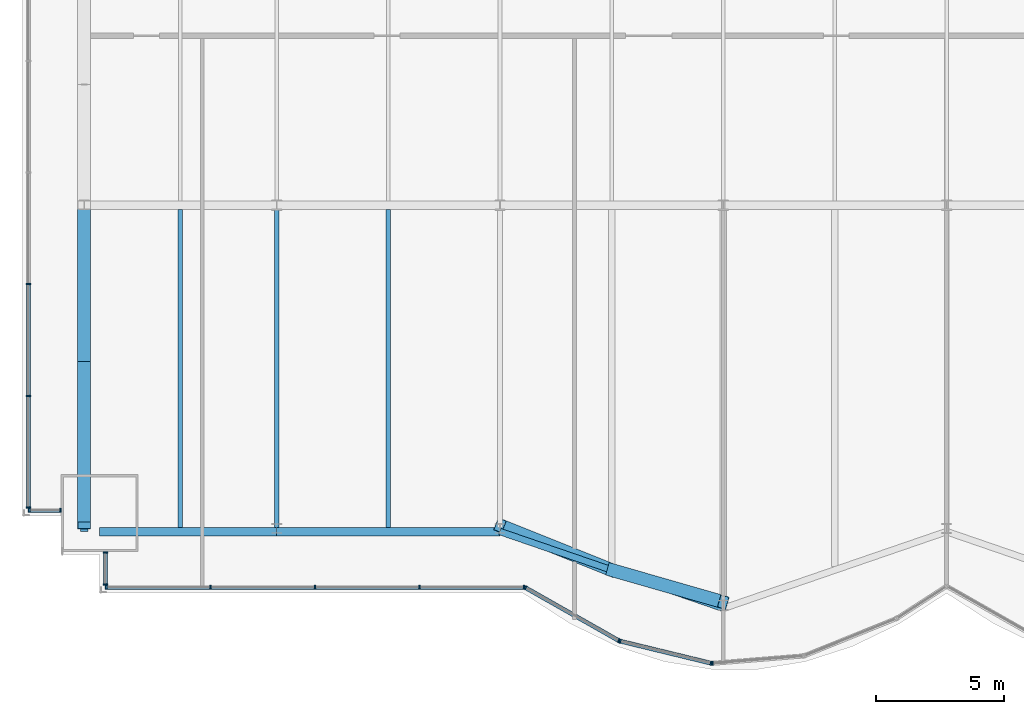
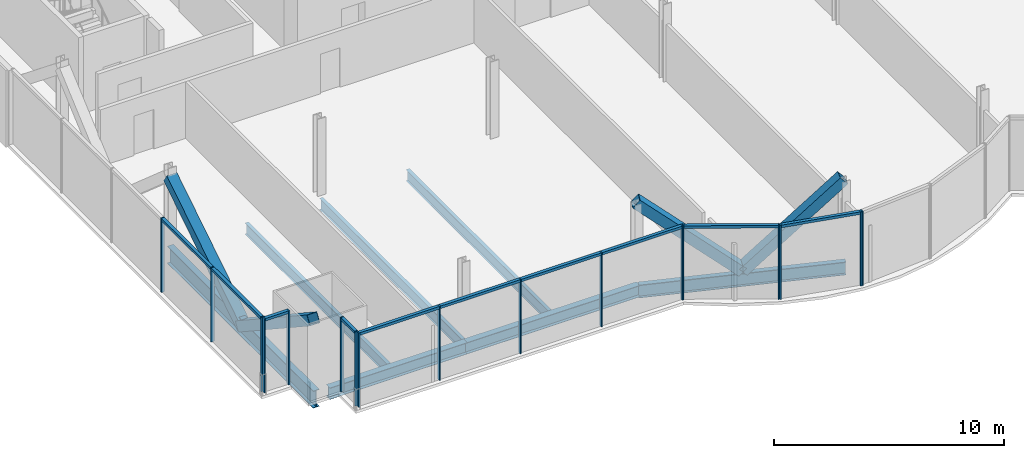
# One storey, part 4 of 21: 31 members, 7 beams, 5 elements without a shape of their own.
"""IFC4 building model written with IfcOpenShell, lengths in metres."""

from ifc_helpers import new_model, si_unit, direction, frame, origin, origin_2d, place, context, subcontext, project, spatial, rectangle, hollow_rectangle, i_section, extrude, material, material_profile, profile_set, type_object, element, aggregate, save


model = new_model("IFC4")

# Units and contexts
model_context = context("Model", 3, precision=1e-05, world=origin(), true_north=direction((0.0, 1.0)))
body_context = subcontext(model_context, "Body", "Model", "MODEL_VIEW")
ifc_project = project(units=[si_unit("LENGTHUNIT", "METRE"), si_unit("AREAUNIT", "SQUARE_METRE"), si_unit("VOLUMEUNIT", "CUBIC_METRE"), si_unit("PLANEANGLEUNIT", "RADIAN"), si_unit("MASSUNIT", "GRAM", prefix="KILO")], contexts=[model_context])

# Site, building, storey
site_placement = place(None, origin())
site = spatial("IfcSite", under=ifc_project, at=site_placement, CompositionType="ELEMENT")
building_placement = place(site_placement, origin())
building = spatial("IfcBuilding", under=site, at=building_placement, Name="Bicima Exchange Tower", CompositionType="ELEMENT")
storey_placement = place(building_placement, frame((0.0, 0.0, 122.699951171875)))
storey = spatial("IfcBuildingStorey", under=building, at=storey_placement, Name="L26", CompositionType="ELEMENT", Elevation=122.699951171875)

# Curtain wall, members
ifc_material_1 = material(Name="Anodised bronze aluminium", Category="aluminium")
curtain_wall_type_1 = type_object("IfcCurtainWallType", Name="End face glass wall", PredefinedType="NOTDEFINED", material=ifc_material_1)
curtain_wall_1_placement = place(storey_placement, origin())
curtain_wall_1 = element("IfcCurtainWall", 1, at=curtain_wall_1_placement, inside=storey, type_object=curtain_wall_type_1, Name="End face glass wall L26 run 2", PredefinedType="NOTDEFINED")
ifc_material_profile_1 = material_profile(ifc_material_1, rectangle(XDim=0.159912109375, YDim=0.06005859375, at=origin_2d()))
ifc_profile_set_1 = profile_set([ifc_material_profile_1], Name="Anodised bronze aluminium")
member_type_1 = type_object("IfcMemberType", Name="End face glass wall mullion 60 x 160", PredefinedType="MULLION", material=ifc_profile_set_1)
member_1_placement = place(storey_placement, frame((-35.77001953125, -25.080078125, 0.0), z_axis=(0.0, 0.0, 1.0), x_axis=(1.0, 0.0, 0.0)))
member_1 = element("IfcMember", 2, at=member_1_placement, type_object=member_type_1, Name="End face glass wall mullion 4", PredefinedType="MULLION", context=body_context, shape_type="SweptSolid", body=[
    extrude(rectangle(XDim=0.159912109375, YDim=0.06005859375, at=origin_2d()), origin(), (0.0, 0.0, 1.0), 3.949951171875),
])
member_2_placement = place(storey_placement, frame((-35.77001953125, -29.429931640625, 0.0), z_axis=(0.0, 0.0, 1.0), x_axis=(1.0, 0.0, 0.0)))
member_2 = element("IfcMember", 3, at=member_2_placement, type_object=member_type_1, Name="End face glass wall mullion 5", PredefinedType="MULLION", context=body_context, shape_type="SweptSolid", body=[
    extrude(rectangle(XDim=0.159912109375, YDim=0.06005859375, at=origin_2d()), origin(), (0.0, 0.0, 1.0), 3.949951171875),
])
member_3_placement = place(storey_placement, frame((-35.77001953125, -33.780029296875, 0.0), z_axis=(0.0, 0.0, 1.0), x_axis=(1.0, 0.0, 0.0)))
member_3 = element("IfcMember", 4, at=member_3_placement, type_object=member_type_1, Name="End face glass wall mullion 6", PredefinedType="MULLION", context=body_context, shape_type="SweptSolid", body=[
    extrude(rectangle(XDim=0.159912109375, YDim=0.06005859375, at=origin_2d()), origin(), (0.0, 0.0, 1.0), 3.949951171875),
])
ifc_material_profile_2 = material_profile(ifc_material_1, rectangle(XDim=0.159912109375, YDim=0.139892578125, at=origin_2d()))
ifc_profile_set_2 = profile_set([ifc_material_profile_2], Name="Anodised bronze aluminium")
member_type_2 = type_object("IfcMemberType", Name="End face glass wall transom 140 x 160", PredefinedType="USERDEFINED", material=ifc_profile_set_2)
member_4_placement = place(storey_placement, frame((-35.77001953125, -25.110107421875, 3.880126953125), z_axis=(0.0, -1.0, 0.0), x_axis=(1.0, 0.0, 0.0)))
member_4 = element("IfcMember", 5, at=member_4_placement, type_object=member_type_2, Name="End face glass wall transom 4.1", ObjectType="TRANSOM", PredefinedType="USERDEFINED", context=body_context, shape_type="SweptSolid", body=[
    extrude(rectangle(XDim=0.159912109375, YDim=0.139892578125, at=origin_2d()), origin(), (0.0, 0.0, 1.0), 4.289794921875),
])
member_5_placement = place(storey_placement, frame((-35.77001953125, -29.4599609375, 3.880126953125), z_axis=(0.0, -1.0, 0.0), x_axis=(1.0, 0.0, 0.0)))
member_5 = element("IfcMember", 6, at=member_5_placement, type_object=member_type_2, Name="End face glass wall transom 5.1", ObjectType="TRANSOM", PredefinedType="USERDEFINED", context=body_context, shape_type="SweptSolid", body=[
    extrude(rectangle(XDim=0.159912109375, YDim=0.139892578125, at=origin_2d()), origin(), (0.0, 0.0, 1.0), 4.2900390625),
])
aggregate(curtain_wall_1, [member_1, member_2, member_3, member_4, member_5])

# Beams
ifc_material_2 = material(Name="Steel ASTM A992 Gr 50", Category="steel")
ifc_material_profile_3 = material_profile(ifc_material_2, i_section(OverallWidth=0.3046875, OverallDepth=0.911865234375, WebThickness=0.015869140625, FlangeThickness=0.02392578125, at=origin_2d()))
ifc_profile_set_3 = profile_set([ifc_material_profile_3], Name="Steel ASTM A992 Gr 50")
beam_type_1 = type_object("IfcBeamType", Name="End girder W36x150", PredefinedType="BEAM", material=ifc_profile_set_3)
beam_1_placement = place(storey_placement, frame((-33.60009765625, -22.0, -0.60595703125), z_axis=(0.0, -1.0, 0.0), x_axis=(1.0, 0.0, 0.0)))
element("IfcBeam", 7, at=beam_1_placement, inside=storey, type_object=beam_type_1, Name="End girder", PredefinedType="BEAM", context=body_context, shape_type="SweptSolid", body=[
    extrude(i_section(OverallWidth=0.3046875, OverallDepth=0.911865234375, WebThickness=0.015869140625, FlangeThickness=0.02392578125, at=origin_2d()), origin(), (0.0, 0.0, 1.0), 12.719970703125),
])
ifc_material_profile_4 = material_profile(ifc_material_2, i_section(OverallWidth=0.177978515625, OverallDepth=0.599365234375, WebThickness=0.010009765625, FlangeThickness=0.012939453125, at=origin_2d()))
ifc_profile_set_4 = profile_set([ifc_material_profile_4], Name="Steel ASTM A992 Gr 50")
beam_type_2 = type_object("IfcBeamType", Name="Floor beam W24x55", PredefinedType="JOIST", material=ifc_profile_set_4)
for number, where, z_axis, x_axis, name in (
    (8, (-29.85009765625, -22.16259765625, -0.44970703125), (0.0, -1.0, 0.0), (1.0, 0.0, 0.0), "Floor beam"),
    (9, (-26.10009765625, -22.16259765625, -0.44970703125), (0.0, -1.0, 0.0), (1.0, 0.0, 0.0), "Floor beam"),
    (10, (-21.75, -22.16259765625, -0.44970703125), (0.0, -1.0, 0.0), (1.0, 0.0, 0.0), "Floor beam"),
):
    element("IfcBeam", number, at=place(storey_placement, frame(where, z_axis=z_axis, x_axis=x_axis)), inside=storey, type_object=beam_type_2, Name=name, PredefinedType="JOIST", context=body_context, shape_type="SweptSolid", body=[
        extrude(i_section(OverallWidth=0.177978515625, OverallDepth=0.599365234375, WebThickness=0.010009765625, FlangeThickness=0.012939453125, at=origin_2d()), origin(), (0.0, 0.0, 1.0), 12.394775390625),
    ])
ifc_material_profile_5 = material_profile(ifc_material_2, i_section(OverallWidth=0.3251953125, OverallDepth=0.612060546875, WebThickness=0.0126953125, FlangeThickness=0.01904296875, at=origin_2d()))
ifc_profile_set_5 = profile_set([ifc_material_profile_5], Name="Steel ASTM A992 Gr 50")
beam_type_3 = type_object("IfcBeamType", Name="Front girder W24x104", PredefinedType="BEAM", material=ifc_profile_set_5)
beam_2_placement = place(storey_placement, frame((-33.0, -34.719970703125, -0.4560546875), z_axis=(1.0, 0.0, 0.0), x_axis=(0.0, 1.0, 0.0)))
element("IfcBeam", 11, at=beam_2_placement, inside=storey, type_object=beam_type_3, Name="Front girder", PredefinedType="BEAM", context=body_context, shape_type="SweptSolid", body=[
    extrude(i_section(OverallWidth=0.3251953125, OverallDepth=0.612060546875, WebThickness=0.0126953125, FlangeThickness=0.01904296875, at=origin_2d()), origin(), (0.0, 0.0, 1.0), 6.89990234375),
])
beam_3_placement = place(storey_placement, frame((-26.10009765625, -34.719970703125, -0.4560546875), z_axis=(1.0, 0.0, 0.0), x_axis=(0.0, 1.0, 0.0)))
element("IfcBeam", 12, at=beam_3_placement, inside=storey, type_object=beam_type_3, Name="Front girder", PredefinedType="BEAM", context=body_context, shape_type="SweptSolid", body=[
    extrude(i_section(OverallWidth=0.3251953125, OverallDepth=0.612060546875, WebThickness=0.0126953125, FlangeThickness=0.01904296875, at=origin_2d()), origin(), (0.0, 0.0, 1.0), 8.7001953125),
])
ifc_material_profile_6 = material_profile(ifc_material_2, i_section(OverallWidth=0.256591796875, OverallDepth=0.693359375, WebThickness=0.014404296875, FlangeThickness=0.023681640625, at=origin_2d()))
ifc_profile_set_6 = profile_set([ifc_material_profile_6], Name="Steel ASTM A992 Gr 50")
beam_type_4 = type_object("IfcBeamType", Name="Front girder W27x114", PredefinedType="BEAM", material=ifc_profile_set_6)
beam_4_placement = place(storey_placement, frame((-17.39990234375, -34.719970703125, -0.49658203125), z_axis=(0.945666456746, -0.325138359143, 0.0), x_axis=(0.325138359143, 0.945666456746, 0.0)))
element("IfcBeam", 13, at=beam_4_placement, inside=storey, type_object=beam_type_4, Name="Front girder", PredefinedType="BEAM", context=body_context, shape_type="SweptSolid", body=[
    extrude(i_section(OverallWidth=0.256591796875, OverallDepth=0.693359375, WebThickness=0.014404296875, FlangeThickness=0.023681640625, at=origin_2d()), origin(), (0.0, 0.0, 1.0), 9.19970703125),
])

# Curtain wall, members
curtain_wall_type_2 = type_object("IfcCurtainWallType", Name="Front glass wall", PredefinedType="NOTDEFINED", material=ifc_material_1)
curtain_wall_2_placement = place(storey_placement, origin())
curtain_wall_2 = element("IfcCurtainWall", 14, at=curtain_wall_2_placement, inside=storey, type_object=curtain_wall_type_2, Name="Front glass wall L26 run 3", PredefinedType="NOTDEFINED")
member_type_3 = type_object("IfcMemberType", Name="Front glass wall mullion 60 x 160", PredefinedType="MULLION", material=ifc_profile_set_1)
member_6_placement = place(storey_placement, frame((-35.739990234375, -33.889892578125, 0.0), z_axis=(0.0, 0.0, 1.0), x_axis=(0.0, 1.0, 0.0)))
member_6 = element("IfcMember", 15, at=member_6_placement, type_object=member_type_3, Name="Front glass wall mullion 1", PredefinedType="MULLION", context=body_context, shape_type="SweptSolid", body=[
    extrude(rectangle(XDim=0.159912109375, YDim=0.06005859375, at=origin_2d()), origin(), (0.0, 0.0, 1.0), 3.949951171875),
])
member_7_placement = place(storey_placement, frame((-34.530029296875, -33.889892578125, 0.0), z_axis=(0.0, 0.0, 1.0), x_axis=(0.0, 1.0, 0.0)))
member_7 = element("IfcMember", 16, at=member_7_placement, type_object=member_type_3, Name="Front glass wall mullion 2", PredefinedType="MULLION", context=body_context, shape_type="SweptSolid", body=[
    extrude(rectangle(XDim=0.159912109375, YDim=0.06005859375, at=origin_2d()), origin(), (0.0, 0.0, 1.0), 3.949951171875),
])

curtain_wall_3_placement = place(storey_placement, origin())
curtain_wall_3 = element("IfcCurtainWall", 17, at=curtain_wall_3_placement, inside=storey, type_object=curtain_wall_type_2, Name="Front glass wall L26 run 4", PredefinedType="NOTDEFINED")
member_8_placement = place(storey_placement, frame((-32.77001953125, -35.528076171875, 0.0), z_axis=(0.0, 0.0, 1.0), x_axis=(1.0, 0.0, 0.0)))
member_8 = element("IfcMember", 18, at=member_8_placement, type_object=member_type_3, Name="Front glass wall mullion 1", PredefinedType="MULLION", context=body_context, shape_type="SweptSolid", body=[
    extrude(rectangle(XDim=0.159912109375, YDim=0.06005859375, at=origin_2d()), origin(), (0.0, 0.0, 1.0), 3.949951171875),
])
member_9_placement = place(storey_placement, frame((-32.77001953125, -36.780029296875, 0.0), z_axis=(0.0, 0.0, 1.0), x_axis=(1.0, 0.0, 0.0)))
member_9 = element("IfcMember", 19, at=member_9_placement, type_object=member_type_3, Name="Front glass wall mullion 2", PredefinedType="MULLION", context=body_context, shape_type="SweptSolid", body=[
    extrude(rectangle(XDim=0.159912109375, YDim=0.06005859375, at=origin_2d()), origin(), (0.0, 0.0, 1.0), 3.949951171875),
])

curtain_wall_4_placement = place(storey_placement, origin())
curtain_wall_4 = element("IfcCurtainWall", 20, at=curtain_wall_4_placement, inside=storey, type_object=curtain_wall_type_2, Name="Front glass wall L26 run 5", PredefinedType="NOTDEFINED")
member_10_placement = place(storey_placement, frame((-32.739990234375, -36.889892578125, 0.0), z_axis=(0.0, 0.0, 1.0), x_axis=(0.0, 1.0, 0.0)))
member_10 = element("IfcMember", 21, at=member_10_placement, type_object=member_type_3, Name="Front glass wall mullion 1", PredefinedType="MULLION", context=body_context, shape_type="SweptSolid", body=[
    extrude(rectangle(XDim=0.159912109375, YDim=0.06005859375, at=origin_2d()), origin(), (0.0, 0.0, 1.0), 3.949951171875),
])
member_11_placement = place(storey_placement, frame((-28.67041015625, -36.889892578125, 0.0), z_axis=(0.0, 0.0, 1.0), x_axis=(0.0, 1.0, 0.0)))
member_11 = element("IfcMember", 22, at=member_11_placement, type_object=member_type_3, Name="Front glass wall mullion 2", PredefinedType="MULLION", context=body_context, shape_type="SweptSolid", body=[
    extrude(rectangle(XDim=0.159912109375, YDim=0.06005859375, at=origin_2d()), origin(), (0.0, 0.0, 1.0), 3.949951171875),
])
member_12_placement = place(storey_placement, frame((-24.60107421875, -36.889892578125, 0.0), z_axis=(0.0, 0.0, 1.0), x_axis=(0.0, 1.0, 0.0)))
member_12 = element("IfcMember", 23, at=member_12_placement, type_object=member_type_3, Name="Front glass wall mullion 3", PredefinedType="MULLION", context=body_context, shape_type="SweptSolid", body=[
    extrude(rectangle(XDim=0.159912109375, YDim=0.06005859375, at=origin_2d()), origin(), (0.0, 0.0, 1.0), 3.949951171875),
])
member_13_placement = place(storey_placement, frame((-20.531494140625, -36.889892578125, 0.0), z_axis=(0.0, 0.0, 1.0), x_axis=(0.0, 1.0, 0.0)))
member_13 = element("IfcMember", 24, at=member_13_placement, type_object=member_type_3, Name="Front glass wall mullion 4", PredefinedType="MULLION", context=body_context, shape_type="SweptSolid", body=[
    extrude(rectangle(XDim=0.159912109375, YDim=0.06005859375, at=origin_2d()), origin(), (0.0, 0.0, 1.0), 3.949951171875),
])
member_14_placement = place(storey_placement, frame((-16.462158203125, -36.889892578125, 0.0), z_axis=(0.0, 0.0, 1.0), x_axis=(0.0, 1.0, 0.0)))
member_14 = element("IfcMember", 25, at=member_14_placement, type_object=member_type_3, Name="Front glass wall mullion 5", PredefinedType="MULLION", context=body_context, shape_type="SweptSolid", body=[
    extrude(rectangle(XDim=0.159912109375, YDim=0.06005859375, at=origin_2d()), origin(), (0.0, 0.0, 1.0), 3.949951171875),
])

curtain_wall_5_placement = place(storey_placement, origin())
curtain_wall_5 = element("IfcCurtainWall", 26, at=curtain_wall_5_placement, inside=storey, type_object=curtain_wall_type_2, Name="Front glass wall L26 run 6", PredefinedType="NOTDEFINED")
member_15_placement = place(storey_placement, frame((-16.406005859375, -36.90478515625, 0.0), z_axis=(0.0, 0.0, 1.0), x_axis=(0.493395449343, 0.869805110681, 0.0)))
member_15 = element("IfcMember", 27, at=member_15_placement, type_object=member_type_3, Name="Front glass wall mullion 1", PredefinedType="MULLION", context=body_context, shape_type="SweptSolid", body=[
    extrude(rectangle(XDim=0.159912109375, YDim=0.06005859375, at=origin_2d()), origin(), (0.0, 0.0, 1.0), 3.949951171875),
])
member_16_placement = place(storey_placement, frame((-12.7734375, -38.96533203125, 0.0), z_axis=(0.0, 0.0, 1.0), x_axis=(0.493395449343, 0.869805110681, 0.0)))
member_16 = element("IfcMember", 28, at=member_16_placement, type_object=member_type_3, Name="Front glass wall mullion 2", PredefinedType="MULLION", context=body_context, shape_type="SweptSolid", body=[
    extrude(rectangle(XDim=0.159912109375, YDim=0.06005859375, at=origin_2d()), origin(), (0.0, 0.0, 1.0), 3.949951171875),
])
member_17_placement = place(storey_placement, frame((-12.718017578125, -38.9873046875, 0.0), z_axis=(0.0, 0.0, 1.0), x_axis=(0.235681529503, 0.971830343553, 0.0)))
member_17 = element("IfcMember", 29, at=member_17_placement, type_object=member_type_3, Name="Front glass wall mullion 1", PredefinedType="MULLION", context=body_context, shape_type="SweptSolid", body=[
    extrude(rectangle(XDim=0.159912109375, YDim=0.06005859375, at=origin_2d()), origin(), (0.0, 0.0, 1.0), 3.949951171875),
])
member_18_placement = place(storey_placement, frame((-9.177490234375, -39.845947265625, 0.0), z_axis=(0.0, 0.0, 1.0), x_axis=(0.235681529503, 0.971830343553, 0.0)))
member_18 = element("IfcMember", 30, at=member_18_placement, type_object=member_type_3, Name="Front glass wall mullion 2", PredefinedType="MULLION", context=body_context, shape_type="SweptSolid", body=[
    extrude(rectangle(XDim=0.159912109375, YDim=0.06005859375, at=origin_2d()), origin(), (0.0, 0.0, 1.0), 3.949951171875),
])
member_19_placement = place(storey_placement, frame((-9.118408203125, -39.8505859375, 0.0), z_axis=(0.0, 0.0, 1.0), x_axis=(-0.080588612633, 0.99674744821, 0.0)))
member_19 = element("IfcMember", 31, at=member_19_placement, type_object=member_type_3, Name="Front glass wall mullion 1", PredefinedType="MULLION", context=body_context, shape_type="SweptSolid", body=[
    extrude(rectangle(XDim=0.159912109375, YDim=0.06005859375, at=origin_2d()), origin(), (0.0, 0.0, 1.0), 3.949951171875),
])

# Member
member_type_4 = type_object("IfcMemberType", Name="Front glass wall transom 140 x 160", PredefinedType="USERDEFINED", material=ifc_profile_set_2)
member_20_placement = place(storey_placement, frame((-35.7099609375, -33.889892578125, 3.880126953125), z_axis=(1.0, 0.0, 0.0), x_axis=(0.0, 1.0, 0.0)))
member_20 = element("IfcMember", 32, at=member_20_placement, type_object=member_type_4, Name="Front glass wall transom 1.1", ObjectType="TRANSOM", PredefinedType="USERDEFINED", context=body_context, shape_type="SweptSolid", body=[
    extrude(rectangle(XDim=0.159912109375, YDim=0.139892578125, at=origin_2d()), origin(), (0.0, 0.0, 1.0), 1.14990234375),
])

aggregate(curtain_wall_2, [member_6, member_7, member_20])

member_21_placement = place(storey_placement, frame((-32.77001953125, -35.55810546875, 3.880126953125), z_axis=(0.0, -1.0, 0.0), x_axis=(1.0, 0.0, 0.0)))
member_21 = element("IfcMember", 33, at=member_21_placement, type_object=member_type_4, Name="Front glass wall transom 1.1", ObjectType="TRANSOM", PredefinedType="USERDEFINED", context=body_context, shape_type="SweptSolid", body=[
    extrude(rectangle(XDim=0.159912109375, YDim=0.139892578125, at=origin_2d()), origin(), (0.0, 0.0, 1.0), 1.19189453125),
])

aggregate(curtain_wall_3, [member_8, member_9, member_21])

member_22_placement = place(storey_placement, frame((-32.7099609375, -36.889892578125, 3.880126953125), z_axis=(1.0, 0.0, 0.0), x_axis=(0.0, 1.0, 0.0)))
member_22 = element("IfcMember", 34, at=member_22_placement, type_object=member_type_4, Name="Front glass wall transom 1.1", ObjectType="TRANSOM", PredefinedType="USERDEFINED", context=body_context, shape_type="SweptSolid", body=[
    extrude(rectangle(XDim=0.159912109375, YDim=0.139892578125, at=origin_2d()), origin(), (0.0, 0.0, 1.0), 4.009521484375),
])

member_23_placement = place(storey_placement, frame((-28.640380859375, -36.889892578125, 3.880126953125), z_axis=(1.0, 0.0, 0.0), x_axis=(0.0, 1.0, 0.0)))
member_23 = element("IfcMember", 35, at=member_23_placement, type_object=member_type_4, Name="Front glass wall transom 2.1", ObjectType="TRANSOM", PredefinedType="USERDEFINED", context=body_context, shape_type="SweptSolid", body=[
    extrude(rectangle(XDim=0.159912109375, YDim=0.139892578125, at=origin_2d()), origin(), (0.0, 0.0, 1.0), 4.00927734375),
])

member_24_placement = place(storey_placement, frame((-24.571044921875, -36.889892578125, 3.880126953125), z_axis=(1.0, 0.0, 0.0), x_axis=(0.0, 1.0, 0.0)))
member_24 = element("IfcMember", 36, at=member_24_placement, type_object=member_type_4, Name="Front glass wall transom 3.1", ObjectType="TRANSOM", PredefinedType="USERDEFINED", context=body_context, shape_type="SweptSolid", body=[
    extrude(rectangle(XDim=0.159912109375, YDim=0.139892578125, at=origin_2d()), origin(), (0.0, 0.0, 1.0), 4.009521484375),
])

member_25_placement = place(storey_placement, frame((-20.501708984375, -36.889892578125, 3.880126953125), z_axis=(1.0, 0.0, 0.0), x_axis=(0.0, 1.0, 0.0)))
member_25 = element("IfcMember", 37, at=member_25_placement, type_object=member_type_4, Name="Front glass wall transom 4.1", ObjectType="TRANSOM", PredefinedType="USERDEFINED", context=body_context, shape_type="SweptSolid", body=[
    extrude(rectangle(XDim=0.159912109375, YDim=0.139892578125, at=origin_2d()), origin(), (0.0, 0.0, 1.0), 4.009521484375),
])

aggregate(curtain_wall_4, [member_10, member_11, member_12, member_13, member_14, member_22, member_23, member_24, member_25])

member_26_placement = place(storey_placement, frame((-16.3798828125, -36.919677734375, 3.880126953125), z_axis=(0.869797371721, -0.49340909208, 0.0), x_axis=(0.49340909208, 0.869797371721, 0.0)))
member_26 = element("IfcMember", 38, at=member_26_placement, type_object=member_type_4, Name="Front glass wall transom 1.1", ObjectType="TRANSOM", PredefinedType="USERDEFINED", context=body_context, shape_type="SweptSolid", body=[
    extrude(rectangle(XDim=0.159912109375, YDim=0.139892578125, at=origin_2d()), origin(), (0.0, 0.0, 1.0), 4.1162109375),
])

member_27_placement = place(storey_placement, frame((-12.68896484375, -38.994384765625, 3.880126953125), z_axis=(0.971833557815, -0.235668275132, 0.0), x_axis=(0.235668275132, 0.971833557815, 0.0)))
member_27 = element("IfcMember", 39, at=member_27_placement, type_object=member_type_4, Name="Front glass wall transom 1.1", ObjectType="TRANSOM", PredefinedType="USERDEFINED", context=body_context, shape_type="SweptSolid", body=[
    extrude(rectangle(XDim=0.159912109375, YDim=0.139892578125, at=origin_2d()), origin(), (0.0, 0.0, 1.0), 3.583251953125),
])

aggregate(curtain_wall_5, [member_15, member_16, member_26, member_17, member_18, member_27, member_19])

# Members
ifc_material_3 = material(Name="Steel ASTM A572 Gr 50", Category="steel")
ifc_material_profile_7 = material_profile(ifc_material_3, hollow_rectangle(XDim=0.508056640625, YDim=0.508056640625, WallThickness=0.0146484375, at=origin_2d()))
ifc_profile_set_7 = profile_set([ifc_material_profile_7], Name="Steel ASTM A572 Gr 50")
member_type_5 = type_object("IfcMemberType", Name="Mega brace HSS20x20x5/8", PredefinedType="BRACE", material=ifc_profile_set_7)
member_28_placement = place(storey_placement, frame((-13.050048828125, -36.215576171875, 0.0), z_axis=(0.712266893938, -0.204909647453, 0.671332933931), x_axis=(0.276473064615, 0.961021667052, 0.0)))
element("IfcMember", 40, at=member_28_placement, inside=storey, type_object=member_type_5, Name="Mega brace front", PredefinedType="BRACE", context=body_context, shape_type="SweptSolid", body=[
    extrude(hollow_rectangle(XDim=0.508056640625, YDim=0.508056640625, WallThickness=0.0146484375, at=origin_2d()), origin(), (0.0, 0.0, 1.0), 6.107421875),
])
member_29_placement = place(storey_placement, frame((-13.050048828125, -36.215576171875, 0.0), z_axis=(-0.69870612412, 0.279411861388, 0.658588463179), x_axis=(-0.371309808925, -0.928509033772, 0.0)))
element("IfcMember", 41, at=member_29_placement, inside=storey, type_object=member_type_5, Name="Mega brace front", PredefinedType="BRACE", context=body_context, shape_type="SweptSolid", body=[
    extrude(hollow_rectangle(XDim=0.508056640625, YDim=0.508056640625, WallThickness=0.0146484375, at=origin_2d()), origin(), (0.0, 0.0, 1.0), 6.2255859375),
])
member_30_placement = place(storey_placement, frame((-33.60009765625, -28.238037109375, -0.60595703125), z_axis=(0.0, -0.835655299365, 0.549254240442), x_axis=(1.0, 0.0, 0.0)))
element("IfcMember", 42, at=member_30_placement, inside=storey, type_object=member_type_5, Name="Mega brace west end", PredefinedType="BRACE", context=body_context, shape_type="SweptSolid", body=[
    extrude(hollow_rectangle(XDim=0.508056640625, YDim=0.508056640625, WallThickness=0.0146484375, at=origin_2d()), origin(), (0.0, 0.0, 1.0), 7.46484375),
])
member_31_placement = place(storey_placement, frame((-33.60009765625, -28.48193359375, -0.60595703125), z_axis=(0.0, 0.845121098414, 0.534574904963), x_axis=(-1.0, 0.0, 0.0)))
element("IfcMember", 43, at=member_31_placement, inside=storey, type_object=member_type_5, Name="Mega brace west end", PredefinedType="BRACE", context=body_context, shape_type="SweptSolid", body=[
    extrude(hollow_rectangle(XDim=0.508056640625, YDim=0.508056640625, WallThickness=0.0146484375, at=origin_2d()), origin(), (0.0, 0.0, 1.0), 7.669921875),
])

save(model, "model.ifc")
